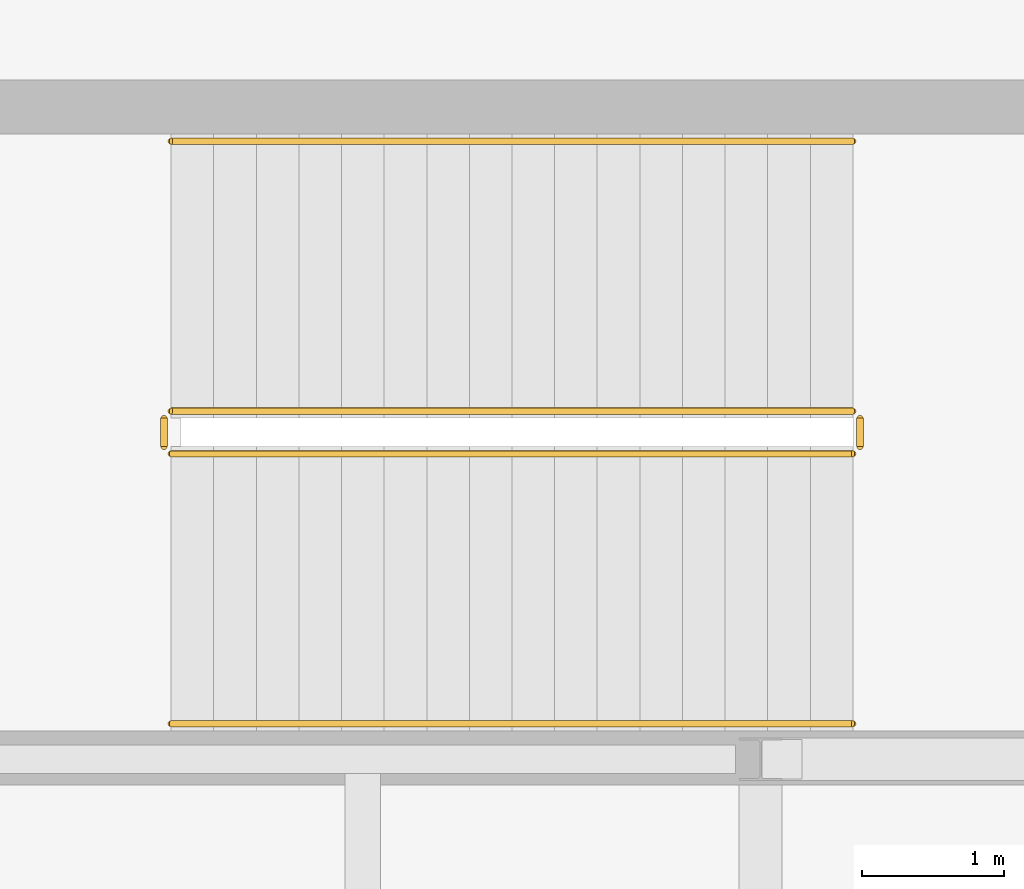
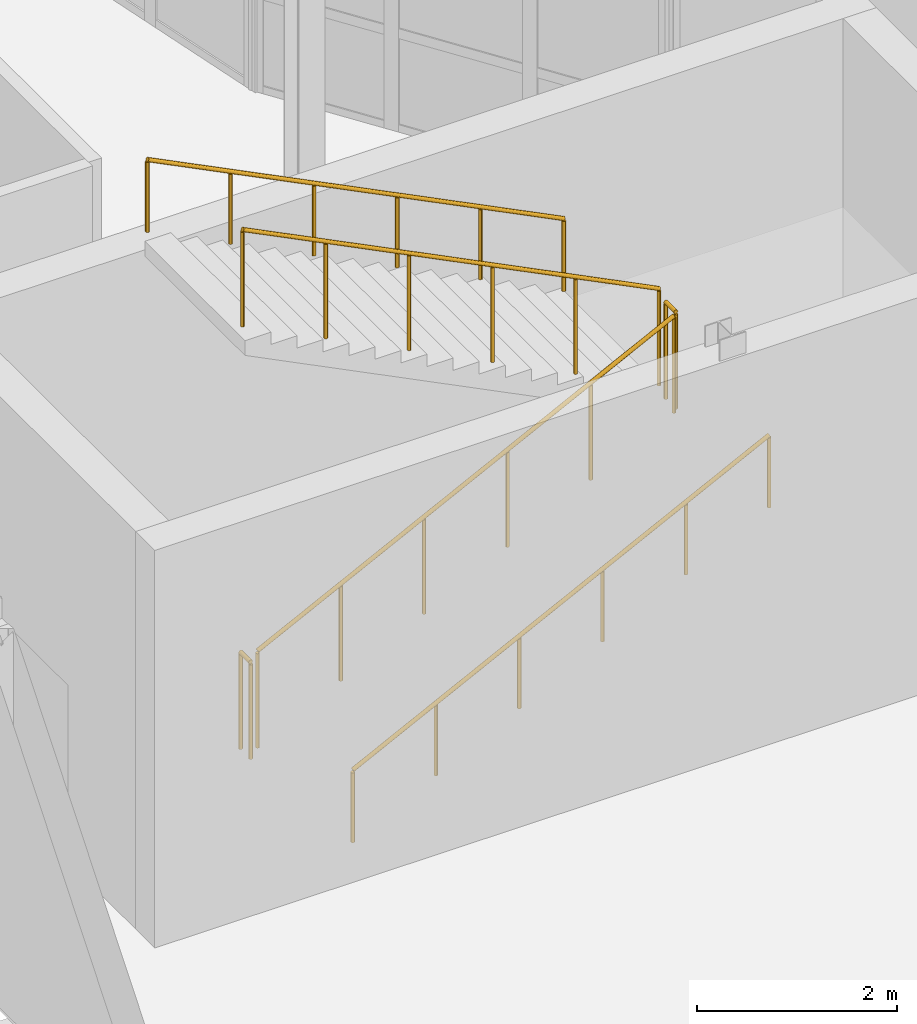
# One storey, part 79 of 91: 6 railings.
"""IFC4 building model written with IfcOpenShell, lengths in metres."""

from ifc_helpers import new_model, si_unit, direction, frame, origin, origin_2d, place, context, subcontext, project, spatial, circle, extrude, material, type_object, element, save


model = new_model("IFC4")

# Units and contexts
model_context = context("Model", 3, precision=1e-05, world=origin(), true_north=direction((0.0, 1.0)))
body_context = subcontext(model_context, "Body", "Model", "MODEL_VIEW")
ifc_project = project(units=[si_unit("LENGTHUNIT", "METRE"), si_unit("AREAUNIT", "SQUARE_METRE"), si_unit("VOLUMEUNIT", "CUBIC_METRE"), si_unit("PLANEANGLEUNIT", "RADIAN"), si_unit("MASSUNIT", "GRAM", prefix="KILO"), si_unit("THERMODYNAMICTEMPERATUREUNIT", "KELVIN")], contexts=[model_context])

# Site, building, storey
site_placement = place(None, origin())
site = spatial("IfcSite", under=ifc_project, at=site_placement, CompositionType="ELEMENT")
building_placement = place(site_placement, origin())
building = spatial("IfcBuilding", under=site, at=building_placement, Name="Lustrewick Department Store", CompositionType="ELEMENT")
storey_placement = place(building_placement, frame((0.0, 0.0, 21.60009765625)))
storey = spatial("IfcBuildingStorey", under=building, at=storey_placement, Name="L05", CompositionType="ELEMENT", Elevation=21.60009765625)

# Railings
ifc_material_1 = material(Name="Painted tubular steel stairwell guardrail", Category="steel")
railing_type_1 = type_object("IfcRailingType", Name="RL-STG", PredefinedType="GUARDRAIL", material=ifc_material_1)
railing_1_placement = place(storey_placement, frame((12.64990234375, 52.550048828125, 0.14990234375)))
element("IfcRailing", 1, at=railing_1_placement, inside=storey, type_object=railing_type_1, Name="L05 ST01 Stair Guard 1", PredefinedType="GUARDRAIL", context=body_context, shape_type="SweptSolid", body=[
    extrude(circle(Radius=0.02392578125, at=origin_2d()), frame((0.0, 0.0, 1.17578125), z_axis=(0.894436289399, 0.0, 0.44719539824), x_axis=(0.0, 1.0, 0.0)), (0.0, 0.0, 1.0), 5.366455078125),
    extrude(circle(Radius=0.02099609375, at=origin_2d()), origin(), (0.0, 0.0, 1.0), 1.15185546875),
    extrude(circle(Radius=0.02099609375, at=origin_2d()), frame((0.9599609375, 0.0, 0.47998046875)), (0.0, 0.0, 1.0), 1.15185546875),
    extrude(circle(Radius=0.02099609375, at=origin_2d()), frame((1.919921875, 0.0, 0.9599609375)), (0.0, 0.0, 1.0), 1.15185546875),
    extrude(circle(Radius=0.02099609375, at=origin_2d()), frame((2.880126953125, 0.0, 1.43994140625)), (0.0, 0.0, 1.0), 1.15185546875),
    extrude(circle(Radius=0.02099609375, at=origin_2d()), frame((3.840087890625, 0.0, 1.919921875)), (0.0, 0.0, 1.0), 1.15185546875),
    extrude(circle(Radius=0.02099609375, at=origin_2d()), frame((4.800048828125, 0.0, 2.39990234375)), (0.0, 0.0, 1.0), 1.15185546875),
])
railing_2_placement = place(storey_placement, frame((17.5, 52.60009765625, 2.5498046875)))
element("IfcRailing", 2, at=railing_2_placement, inside=storey, type_object=railing_type_1, Name="L05 ST01 Stair Guard 2", PredefinedType="GUARDRAIL", context=body_context, shape_type="SweptSolid", body=[
    extrude(circle(Radius=0.02392578125, at=origin_2d()), frame((0.0, 0.0, 1.17578125), z_axis=(0.0, 1.0, 0.0), x_axis=(-1.0, 0.0, 0.0)), (0.0, 0.0, 1.0), 0.199951171875),
    extrude(circle(Radius=0.02099609375, at=origin_2d()), origin(), (0.0, 0.0, 1.0), 1.15185546875),
    extrude(circle(Radius=0.02099609375, at=origin_2d()), frame((0.0, 0.199951171875, 0.0)), (0.0, 0.0, 1.0), 1.15185546875),
])
railing_3_placement = place(storey_placement, frame((17.449951171875, 52.85009765625, 2.699951171875)))
element("IfcRailing", 3, at=railing_3_placement, inside=storey, type_object=railing_type_1, Name="L05 ST01 Stair Guard 3", PredefinedType="GUARDRAIL", context=body_context, shape_type="SweptSolid", body=[
    extrude(circle(Radius=0.02392578125, at=origin_2d()), frame((0.0, 0.0, 1.17578125), z_axis=(-0.894436289399, 0.0, 0.44719539824), x_axis=(0.0, -1.0, 0.0)), (0.0, 0.0, 1.0), 5.366455078125),
    extrude(circle(Radius=0.02099609375, at=origin_2d()), origin(), (0.0, 0.0, 1.0), 1.15185546875),
    extrude(circle(Radius=0.02099609375, at=origin_2d()), frame((-0.9599609375, 0.0, 0.47998046875)), (0.0, 0.0, 1.0), 1.15185546875),
    extrude(circle(Radius=0.02099609375, at=origin_2d()), frame((-1.919921875, 0.0, 0.9599609375)), (0.0, 0.0, 1.0), 1.15185546875),
    extrude(circle(Radius=0.02099609375, at=origin_2d()), frame((-2.880126953125, 0.0, 1.43994140625)), (0.0, 0.0, 1.0), 1.15185546875),
    extrude(circle(Radius=0.02099609375, at=origin_2d()), frame((-3.840087890625, 0.0, 1.919921875)), (0.0, 0.0, 1.0), 1.15185546875),
    extrude(circle(Radius=0.02099609375, at=origin_2d()), frame((-4.800048828125, 0.0, 2.39990234375)), (0.0, 0.0, 1.0), 1.15185546875),
])
railing_4_placement = place(storey_placement, frame((12.60009765625, 52.60009765625, 0.0)))
element("IfcRailing", 4, at=railing_4_placement, inside=storey, type_object=railing_type_1, Name="L05 ST01 Stair Guard 4", PredefinedType="GUARDRAIL", context=body_context, shape_type="SweptSolid", body=[
    extrude(circle(Radius=0.02392578125, at=origin_2d()), frame((0.0, 0.0, 1.17578125), z_axis=(0.0, 1.0, 0.0), x_axis=(-1.0, 0.0, 0.0)), (0.0, 0.0, 1.0), 0.199951171875),
    extrude(circle(Radius=0.02099609375, at=origin_2d()), origin(), (0.0, 0.0, 1.0), 1.15185546875),
    extrude(circle(Radius=0.02099609375, at=origin_2d()), frame((0.0, 0.199951171875, 0.0)), (0.0, 0.0, 1.0), 1.15185546875),
])
ifc_material_2 = material(Name="Brushed stainless steel wall handrail", Category="steel")
railing_type_2 = type_object("IfcRailingType", Name="RL-STH", PredefinedType="HANDRAIL", material=ifc_material_2)
railing_5_placement = place(storey_placement, frame((12.64990234375, 50.64990234375, 0.14990234375)))
element("IfcRailing", 5, at=railing_5_placement, inside=storey, type_object=railing_type_2, Name="L05 ST01 Stair Handrail 1", PredefinedType="HANDRAIL", context=body_context, shape_type="SweptSolid", body=[
    extrude(circle(Radius=0.02392578125, at=origin_2d()), frame((0.0, 0.0, 0.8759765625), z_axis=(0.894436289399, 0.0, 0.44719539824), x_axis=(0.0, 1.0, 0.0)), (0.0, 0.0, 1.0), 5.366455078125),
    extrude(circle(Radius=0.02099609375, at=origin_2d()), origin(), (0.0, 0.0, 1.0), 0.851806640625),
    extrude(circle(Radius=0.02099609375, at=origin_2d()), frame((0.9599609375, 0.0, 0.47998046875)), (0.0, 0.0, 1.0), 0.851806640625),
    extrude(circle(Radius=0.02099609375, at=origin_2d()), frame((1.919921875, 0.0, 0.9599609375)), (0.0, 0.0, 1.0), 0.851806640625),
    extrude(circle(Radius=0.02099609375, at=origin_2d()), frame((2.880126953125, 0.0, 1.43994140625)), (0.0, 0.0, 1.0), 0.851806640625),
    extrude(circle(Radius=0.02099609375, at=origin_2d()), frame((3.840087890625, 0.0, 1.919921875)), (0.0, 0.0, 1.0), 0.851806640625),
    extrude(circle(Radius=0.02099609375, at=origin_2d()), frame((4.800048828125, 0.0, 2.39990234375)), (0.0, 0.0, 1.0), 0.851806640625),
])
railing_6_placement = place(storey_placement, frame((17.449951171875, 54.75, 2.699951171875)))
element("IfcRailing", 6, at=railing_6_placement, inside=storey, type_object=railing_type_2, Name="L05 ST01 Stair Handrail 2", PredefinedType="HANDRAIL", context=body_context, shape_type="SweptSolid", body=[
    extrude(circle(Radius=0.02392578125, at=origin_2d()), frame((0.0, 0.0, 0.8759765625), z_axis=(-0.894436289399, 0.0, 0.44719539824), x_axis=(0.0, -1.0, 0.0)), (0.0, 0.0, 1.0), 5.366455078125),
    extrude(circle(Radius=0.02099609375, at=origin_2d()), origin(), (0.0, 0.0, 1.0), 0.851806640625),
    extrude(circle(Radius=0.02099609375, at=origin_2d()), frame((-0.9599609375, 0.0, 0.47998046875)), (0.0, 0.0, 1.0), 0.851806640625),
    extrude(circle(Radius=0.02099609375, at=origin_2d()), frame((-1.919921875, 0.0, 0.9599609375)), (0.0, 0.0, 1.0), 0.851806640625),
    extrude(circle(Radius=0.02099609375, at=origin_2d()), frame((-2.880126953125, 0.0, 1.43994140625)), (0.0, 0.0, 1.0), 0.851806640625),
    extrude(circle(Radius=0.02099609375, at=origin_2d()), frame((-3.840087890625, 0.0, 1.919921875)), (0.0, 0.0, 1.0), 0.851806640625),
    extrude(circle(Radius=0.02099609375, at=origin_2d()), frame((-4.800048828125, 0.0, 2.39990234375)), (0.0, 0.0, 1.0), 0.851806640625),
])

save(model, "model.ifc")
